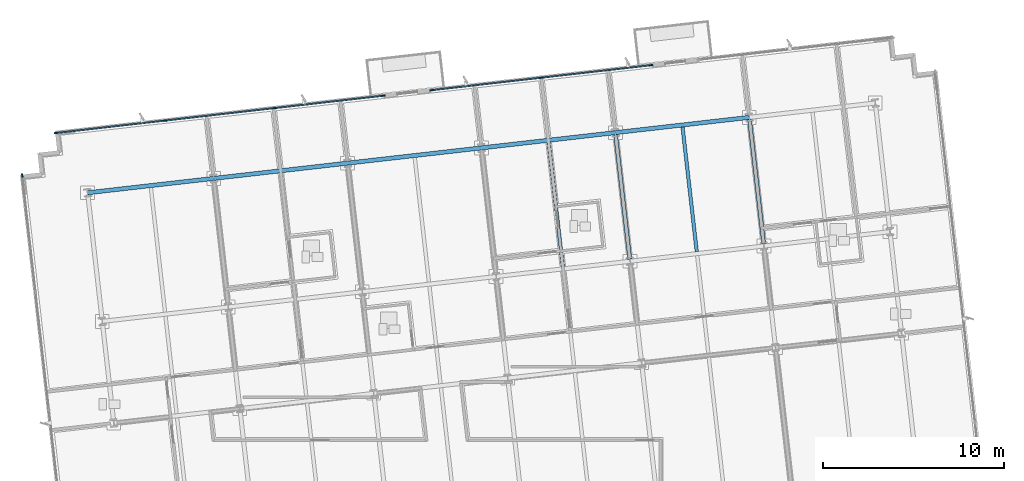
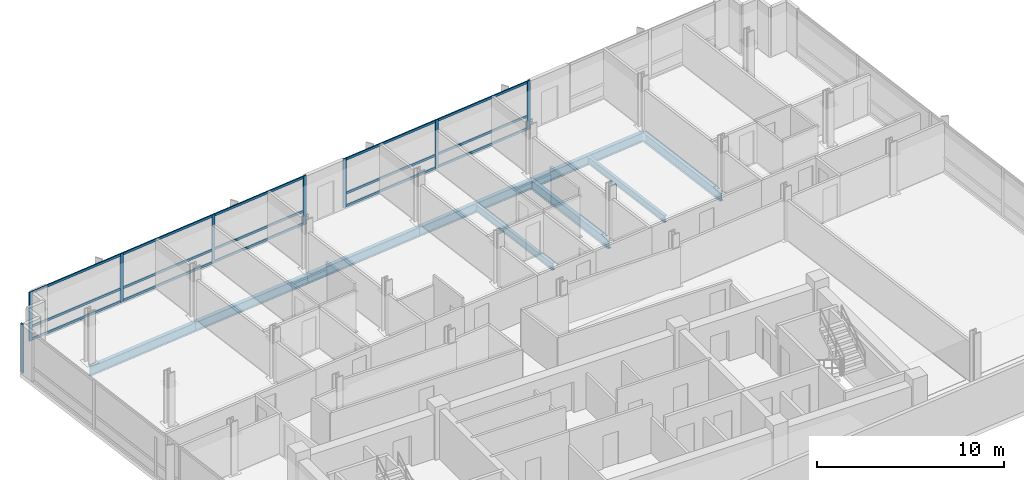
# One storey, part 5 of 16: 23 members, 9 beams, 3 elements without a shape of their own.
"""IFC4 building model written with IfcOpenShell, lengths in metres."""

from ifc_helpers import new_model, si_unit, direction, frame, origin, origin_2d, place, context, subcontext, project, spatial, rectangle, i_section, extrude, material, material_profile, profile_set, type_object, element, aggregate, save


model = new_model("IFC4")

# Units and contexts
model_context = context("Model", 3, precision=1e-05, world=origin(), true_north=direction((0.0, 1.0)))
body_context = subcontext(model_context, "Body", "Model", "MODEL_VIEW")
ifc_project = project(units=[si_unit("LENGTHUNIT", "METRE"), si_unit("AREAUNIT", "SQUARE_METRE"), si_unit("VOLUMEUNIT", "CUBIC_METRE"), si_unit("PLANEANGLEUNIT", "RADIAN"), si_unit("MASSUNIT", "GRAM", prefix="KILO")], contexts=[model_context])

# Site, building, storey
site_placement = place(None, origin())
site = spatial("IfcSite", under=ifc_project, at=site_placement, CompositionType="ELEMENT")
building_placement = place(site_placement, origin())
building = spatial("IfcBuilding", under=site, at=building_placement, Name="Solmavex Isthmus Hotel", CompositionType="ELEMENT")
storey_placement = place(building_placement, frame((0.0, 0.0, 212.39990234375)))
storey = spatial("IfcBuildingStorey", under=building, at=storey_placement, Name="L57", CompositionType="ELEMENT", Elevation=212.39990234375)

# Beams
ifc_material_1 = material(Name="Steel ASTM A992 Grade 50", Category="steel")
ifc_material_profile_1 = material_profile(ifc_material_1, i_section(OverallWidth=0.1904296875, OverallDepth=0.456787109375, WebThickness=0.009033203125, FlangeThickness=0.014404296875, FilletRadius=0.0126953125, at=origin_2d()), Name="W18X50")
ifc_profile_set_1 = profile_set([ifc_material_profile_1], Name="Steel ASTM A992 Grade 50")
beam_type_1 = type_object("IfcBeamType", Name="BM-BJ-W18X50", PredefinedType="JOIST", material=ifc_profile_set_1)
for number, where, z_axis, x_axis, name in (
    (1, (7.009033203125, 10.1328125, -0.48828125), (-0.113202453846, 0.993571942258, 0.0), (-0.993571942258, -0.113202453846, 0.0), "Secondary Floor Joist L57-J14"),
    (2, (14.4072265625, 10.975830078125, -0.48828125), (-0.113202453846, 0.993571942258, 0.0), (-0.993571942258, -0.113202453846, 0.0), "Secondary Floor Joist L57-J18"),
):
    element("IfcBeam", number, at=place(storey_placement, frame(where, z_axis=z_axis, x_axis=x_axis)), inside=storey, type_object=beam_type_1, Name=name, PredefinedType="JOIST", context=body_context, shape_type="SweptSolid", body=[
        extrude(i_section(OverallWidth=0.1904296875, OverallDepth=0.456787109375, WebThickness=0.009033203125, FlangeThickness=0.014404296875, FilletRadius=0.0126953125, at=origin_2d()), origin(), (0.0, 0.0, 1.0), 6.9228515625),
    ])
ifc_material_profile_2 = material_profile(ifc_material_1, i_section(OverallWidth=0.227783203125, OverallDepth=0.602783203125, WebThickness=0.010498046875, FlangeThickness=0.014892578125, FilletRadius=0.01513671875, at=origin_2d()), Name="W24X68")
ifc_profile_set_2 = profile_set([ifc_material_profile_2], Name="Steel ASTM A992 Grade 50")
beam_type_2 = type_object("IfcBeamType", Name="BM-BM-W24X68", PredefinedType="BEAM", material=ifc_profile_set_2)
for number, where, z_axis, x_axis, name in (
    (3, (10.708251953125, 10.55419921875, -0.561279296875), (-0.113202453846, 0.993571942258, 0.0), (-0.993571942258, -0.113202453846, 0.0), "Floor Beam L57-VG39"),
    (4, (18.106201171875, 11.397216796875, -0.561279296875), (-0.113202453846, 0.993571942258, 0.0), (-0.993571942258, -0.113202453846, 0.0), "Floor Beam L57-VG42"),
):
    element("IfcBeam", number, at=place(storey_placement, frame(where, z_axis=z_axis, x_axis=x_axis)), inside=storey, type_object=beam_type_2, Name=name, PredefinedType="BEAM", context=body_context, shape_type="SweptSolid", body=[
        extrude(i_section(OverallWidth=0.227783203125, OverallDepth=0.602783203125, WebThickness=0.010498046875, FlangeThickness=0.014892578125, FilletRadius=0.01513671875, at=origin_2d()), origin(), (0.0, 0.0, 1.0), 6.9228515625),
    ])
ifc_material_profile_3 = material_profile(ifc_material_1, i_section(OverallWidth=0.230224609375, OverallDepth=0.617431640625, WebThickness=0.01318359375, FlangeThickness=0.022216796875, FilletRadius=0.01513671875, at=origin_2d()), Name="W24X94")
ifc_profile_set_3 = profile_set([ifc_material_profile_3], Name="Steel ASTM A992 Grade 50")
beam_type_3 = type_object("IfcBeamType", Name="BM-SP-W24X94", PredefinedType="SPANDREL", material=ifc_profile_set_3)
beam_1_placement = place(storey_placement, frame((-19.245849609375, 14.22509765625, -0.568603515625), z_axis=(0.99357359356, 0.113187959519, 0.0), x_axis=(-0.113187959519, 0.99357359356, 0.0)))
element("IfcBeam", 5, at=beam_1_placement, inside=storey, type_object=beam_type_3, Name="Floor Girder L57-UG18", PredefinedType="SPANDREL", context=body_context, shape_type="SweptSolid", body=[
    extrude(i_section(OverallWidth=0.230224609375, OverallDepth=0.617431640625, WebThickness=0.01318359375, FlangeThickness=0.022216796875, FilletRadius=0.01513671875, at=origin_2d()), origin(), (0.0, 0.0, 1.0), 7.0078125),
])
beam_2_placement = place(storey_placement, frame((-12.282958984375, 15.018310546875, -0.568603515625), z_axis=(0.9935703463, 0.113216460607, 0.0), x_axis=(-0.113216460607, 0.9935703463, 0.0)))
element("IfcBeam", 6, at=beam_2_placement, inside=storey, type_object=beam_type_3, Name="Floor Girder L57-UG19", PredefinedType="SPANDREL", context=body_context, shape_type="SweptSolid", body=[
    extrude(i_section(OverallWidth=0.230224609375, OverallDepth=0.617431640625, WebThickness=0.01318359375, FlangeThickness=0.022216796875, FilletRadius=0.01513671875, at=origin_2d()), origin(), (0.0, 0.0, 1.0), 7.446044921875),
])
beam_3_placement = place(storey_placement, frame((-4.884765625, 15.861328125, -0.568603515625), z_axis=(0.993573613989, 0.113187780196, 0.0), x_axis=(-0.113187780196, 0.993573613989, 0.0)))
element("IfcBeam", 7, at=beam_3_placement, inside=storey, type_object=beam_type_3, Name="Floor Girder L57-UG20", PredefinedType="SPANDREL", context=body_context, shape_type="SweptSolid", body=[
    extrude(i_section(OverallWidth=0.230224609375, OverallDepth=0.617431640625, WebThickness=0.01318359375, FlangeThickness=0.022216796875, FilletRadius=0.01513671875, at=origin_2d()), origin(), (0.0, 0.0, 1.0), 7.44580078125),
])
for number, where, z_axis, x_axis, name in (
    (8, (2.51318359375, 16.7041015625, -0.568603515625), (0.9935703463, 0.113216460607, 0.0), (-0.113216460607, 0.9935703463, 0.0), "Floor Girder L57-UG21"),
    (9, (9.911376953125, 17.547119140625, -0.568603515625), (0.9935703463, 0.113216460607, 0.0), (-0.113216460607, 0.9935703463, 0.0), "Floor Girder L57-UG22"),
):
    element("IfcBeam", number, at=place(storey_placement, frame(where, z_axis=z_axis, x_axis=x_axis)), inside=storey, type_object=beam_type_3, Name=name, PredefinedType="SPANDREL", context=body_context, shape_type="SweptSolid", body=[
        extrude(i_section(OverallWidth=0.230224609375, OverallDepth=0.617431640625, WebThickness=0.01318359375, FlangeThickness=0.022216796875, FilletRadius=0.01513671875, at=origin_2d()), origin(), (0.0, 0.0, 1.0), 7.446044921875),
    ])

# Curtain wall, members
ifc_material_2 = material(Name="Aluminium alloy 6063-T6", Category="aluminium")
curtain_wall_type = type_object("IfcCurtainWallType", Name="CW-SYS-04", PredefinedType="NOTDEFINED", material=ifc_material_2)
curtain_wall_1_placement = place(storey_placement, origin())
curtain_wall_1 = element("IfcCurtainWall", 10, at=curtain_wall_1_placement, inside=storey, type_object=curtain_wall_type, Name="Stick Curtain Wall CWL-L57-N1", PredefinedType="NOTDEFINED")
ifc_material_profile_4 = material_profile(ifc_material_2, rectangle(XDim=0.074951171875, YDim=0.199951171875, at=origin_2d()), Name="CWM-75X200")
ifc_profile_set_4 = profile_set([ifc_material_profile_4], Name="Aluminium alloy 6063-T6")
member_type_1 = type_object("IfcMemberType", Name="CW-SYS-04-MUL", PredefinedType="MULLION", material=ifc_profile_set_4)
member_1_placement = place(storey_placement, frame((-20.99365234375, 17.528564453125, 0.0), z_axis=(0.0, 0.0, 1.0), x_axis=(-0.113202953513, 0.993571885329, 0.0)))
member_1 = element("IfcMember", 11, at=member_1_placement, type_object=member_type_1, Name="CW-04 mullion 1", PredefinedType="MULLION", context=body_context, shape_type="SweptSolid", body=[
    extrude(rectangle(XDim=0.074951171875, YDim=0.199951171875, at=origin_2d()), origin(), (0.0, 0.0, 1.0), 3.190185546875),
])
member_2_placement = place(storey_placement, frame((-14.977783203125, 18.2138671875, 0.0), z_axis=(0.0, 0.0, 1.0), x_axis=(-0.113202953513, 0.993571885329, 0.0)))
member_2 = element("IfcMember", 12, at=member_2_placement, type_object=member_type_1, Name="CW-04 mullion 2", PredefinedType="MULLION", context=body_context, shape_type="SweptSolid", body=[
    extrude(rectangle(XDim=0.074951171875, YDim=0.199951171875, at=origin_2d()), origin(), (0.0, 0.0, 1.0), 3.190185546875),
])
member_3_placement = place(storey_placement, frame((-8.924560546875, 18.903564453125, 0.0), z_axis=(0.0, 0.0, 1.0), x_axis=(-0.113202953513, 0.993571885329, 0.0)))
member_3 = element("IfcMember", 13, at=member_3_placement, type_object=member_type_1, Name="CW-04 mullion 3", PredefinedType="MULLION", context=body_context, shape_type="SweptSolid", body=[
    extrude(rectangle(XDim=0.074951171875, YDim=0.199951171875, at=origin_2d()), origin(), (0.0, 0.0, 1.0), 3.190185546875),
])
member_4_placement = place(storey_placement, frame((-2.90869140625, 19.5888671875, 0.0), z_axis=(0.0, 0.0, 1.0), x_axis=(-0.113202953513, 0.993571885329, 0.0)))
member_4 = element("IfcMember", 14, at=member_4_placement, type_object=member_type_1, Name="CW-04 mullion 4", PredefinedType="MULLION", context=body_context, shape_type="SweptSolid", body=[
    extrude(rectangle(XDim=0.074951171875, YDim=0.199951171875, at=origin_2d()), origin(), (0.0, 0.0, 1.0), 3.190185546875),
])

curtain_wall_2_placement = place(storey_placement, origin())
curtain_wall_2 = element("IfcCurtainWall", 15, at=curtain_wall_2_placement, inside=storey, type_object=curtain_wall_type, Name="Stick Curtain Wall CWL-L57-N2", PredefinedType="NOTDEFINED")
member_5_placement = place(storey_placement, frame((-0.250732421875, 19.891845703125, 0.0), z_axis=(0.0, 0.0, 1.0), x_axis=(-0.113202856801, 0.993571896348, 0.0)))
member_5 = element("IfcMember", 16, at=member_5_placement, type_object=member_type_1, Name="CW-04 mullion 1", PredefinedType="MULLION", context=body_context, shape_type="SweptSolid", body=[
    extrude(rectangle(XDim=0.074951171875, YDim=0.199951171875, at=origin_2d()), origin(), (0.0, 0.0, 1.0), 3.190185546875),
])
member_6_placement = place(storey_placement, frame((5.818359375, 20.583251953125, 0.0), z_axis=(0.0, 0.0, 1.0), x_axis=(-0.113202856801, 0.993571896348, 0.0)))
member_6 = element("IfcMember", 17, at=member_6_placement, type_object=member_type_1, Name="CW-04 mullion 2", PredefinedType="MULLION", context=body_context, shape_type="SweptSolid", body=[
    extrude(rectangle(XDim=0.074951171875, YDim=0.199951171875, at=origin_2d()), origin(), (0.0, 0.0, 1.0), 3.190185546875),
])
member_7_placement = place(storey_placement, frame((11.8876953125, 21.27490234375, 0.0), z_axis=(0.0, 0.0, 1.0), x_axis=(-0.113202856801, 0.993571896348, 0.0)))
member_7 = element("IfcMember", 18, at=member_7_placement, type_object=member_type_1, Name="CW-04 mullion 3", PredefinedType="MULLION", context=body_context, shape_type="SweptSolid", body=[
    extrude(rectangle(XDim=0.074951171875, YDim=0.199951171875, at=origin_2d()), origin(), (0.0, 0.0, 1.0), 3.190185546875),
])

# Curtain wall, member
curtain_wall_3_placement = place(storey_placement, origin())
curtain_wall_3 = element("IfcCurtainWall", 19, at=curtain_wall_3_placement, inside=storey, type_object=curtain_wall_type, Name="Stick Curtain Wall CWL-L57-W1", PredefinedType="NOTDEFINED")
member_8_placement = place(storey_placement, frame((-22.85791015625, 15.184814453125, 0.0), z_axis=(0.0, 0.0, 1.0), x_axis=(-0.993571836648, -0.11320338078, 0.0)))
member_8 = element("IfcMember", 20, at=member_8_placement, type_object=member_type_1, Name="CW-04 mullion 6", PredefinedType="MULLION", context=body_context, shape_type="SweptSolid", body=[
    extrude(rectangle(XDim=0.074951171875, YDim=0.199951171875, at=origin_2d()), origin(), (0.0, 0.0, 1.0), 3.190185546875),
])
aggregate(curtain_wall_3, [member_8])

# Member
ifc_material_profile_5 = material_profile(ifc_material_2, rectangle(XDim=0.074951171875, YDim=0.14990234375, at=origin_2d()), Name="CWT-75X150")
ifc_profile_set_5 = profile_set([ifc_material_profile_5], Name="Aluminium alloy 6063-T6")
member_type_2 = type_object("IfcMemberType", Name="CW-SYS-04-TRN", PredefinedType="USERDEFINED", material=ifc_profile_set_5)
member_9_placement = place(storey_placement, frame((-20.956298828125, 17.53271484375, 0.0751953125), z_axis=(0.993570647741, 0.113213815179, 0.0), x_axis=(-0.113213815179, 0.993570647741, 0.0)))
member_9 = element("IfcMember", 21, at=member_9_placement, type_object=member_type_2, Name="CW-04 transom 1.1", ObjectType="TRANSOM", PredefinedType="USERDEFINED", context=body_context, shape_type="SweptSolid", body=[
    extrude(rectangle(XDim=0.074951171875, YDim=0.14990234375, at=origin_2d()), origin(), (0.0, 0.0, 1.0), 5.979736328125),
])

member_10_placement = place(storey_placement, frame((-20.956298828125, 17.53271484375, 0.900146484375), z_axis=(0.993570647741, 0.113213815179, 0.0), x_axis=(-0.113213815179, 0.993570647741, 0.0)))
member_10 = element("IfcMember", 22, at=member_10_placement, type_object=member_type_2, Name="CW-04 transom 1.2", ObjectType="TRANSOM", PredefinedType="USERDEFINED", context=body_context, shape_type="SweptSolid", body=[
    extrude(rectangle(XDim=0.074951171875, YDim=0.14990234375, at=origin_2d()), origin(), (0.0, 0.0, 1.0), 5.979736328125),
])

member_11_placement = place(storey_placement, frame((-20.956298828125, 17.53271484375, 3.114990234375), z_axis=(0.993570647741, 0.113213815179, 0.0), x_axis=(-0.113213815179, 0.993570647741, 0.0)))
member_11 = element("IfcMember", 23, at=member_11_placement, type_object=member_type_2, Name="CW-04 transom 1.3", ObjectType="TRANSOM", PredefinedType="USERDEFINED", context=body_context, shape_type="SweptSolid", body=[
    extrude(rectangle(XDim=0.074951171875, YDim=0.14990234375, at=origin_2d()), origin(), (0.0, 0.0, 1.0), 5.979736328125),
])

member_12_placement = place(storey_placement, frame((-14.9404296875, 18.218017578125, 0.0751953125), z_axis=(0.993567543212, 0.113241057379, 0.0), x_axis=(-0.113241057379, 0.993567543212, 0.0)))
member_12 = element("IfcMember", 24, at=member_12_placement, type_object=member_type_2, Name="CW-04 transom 2.1", ObjectType="TRANSOM", PredefinedType="USERDEFINED", context=body_context, shape_type="SweptSolid", body=[
    extrude(rectangle(XDim=0.074951171875, YDim=0.14990234375, at=origin_2d()), origin(), (0.0, 0.0, 1.0), 6.017333984375),
])

member_13_placement = place(storey_placement, frame((-14.9404296875, 18.218017578125, 0.900146484375), z_axis=(0.993567543212, 0.113241057379, 0.0), x_axis=(-0.113241057379, 0.993567543212, 0.0)))
member_13 = element("IfcMember", 25, at=member_13_placement, type_object=member_type_2, Name="CW-04 transom 2.2", ObjectType="TRANSOM", PredefinedType="USERDEFINED", context=body_context, shape_type="SweptSolid", body=[
    extrude(rectangle(XDim=0.074951171875, YDim=0.14990234375, at=origin_2d()), origin(), (0.0, 0.0, 1.0), 6.017333984375),
])

member_14_placement = place(storey_placement, frame((-14.9404296875, 18.218017578125, 3.114990234375), z_axis=(0.993567543212, 0.113241057379, 0.0), x_axis=(-0.113241057379, 0.993567543212, 0.0)))
member_14 = element("IfcMember", 26, at=member_14_placement, type_object=member_type_2, Name="CW-04 transom 2.3", ObjectType="TRANSOM", PredefinedType="USERDEFINED", context=body_context, shape_type="SweptSolid", body=[
    extrude(rectangle(XDim=0.074951171875, YDim=0.14990234375, at=origin_2d()), origin(), (0.0, 0.0, 1.0), 6.017333984375),
])

member_15_placement = place(storey_placement, frame((-8.88720703125, 18.90771484375, 0.0751953125), z_axis=(0.993570647741, 0.113213815179, 0.0), x_axis=(-0.113213815179, 0.993570647741, 0.0)))
member_15 = element("IfcMember", 27, at=member_15_placement, type_object=member_type_2, Name="CW-04 transom 3.1", ObjectType="TRANSOM", PredefinedType="USERDEFINED", context=body_context, shape_type="SweptSolid", body=[
    extrude(rectangle(XDim=0.074951171875, YDim=0.14990234375, at=origin_2d()), origin(), (0.0, 0.0, 1.0), 5.979736328125),
])

member_16_placement = place(storey_placement, frame((-8.88720703125, 18.90771484375, 0.900146484375), z_axis=(0.993570647741, 0.113213815179, 0.0), x_axis=(-0.113213815179, 0.993570647741, 0.0)))
member_16 = element("IfcMember", 28, at=member_16_placement, type_object=member_type_2, Name="CW-04 transom 3.2", ObjectType="TRANSOM", PredefinedType="USERDEFINED", context=body_context, shape_type="SweptSolid", body=[
    extrude(rectangle(XDim=0.074951171875, YDim=0.14990234375, at=origin_2d()), origin(), (0.0, 0.0, 1.0), 5.979736328125),
])

member_17_placement = place(storey_placement, frame((-8.88720703125, 18.90771484375, 3.114990234375), z_axis=(0.993570647741, 0.113213815179, 0.0), x_axis=(-0.113213815179, 0.993570647741, 0.0)))
member_17 = element("IfcMember", 29, at=member_17_placement, type_object=member_type_2, Name="CW-04 transom 3.3", ObjectType="TRANSOM", PredefinedType="USERDEFINED", context=body_context, shape_type="SweptSolid", body=[
    extrude(rectangle(XDim=0.074951171875, YDim=0.14990234375, at=origin_2d()), origin(), (0.0, 0.0, 1.0), 5.979736328125),
])

aggregate(curtain_wall_1, [member_1, member_2, member_3, member_4, member_9, member_10, member_11, member_12, member_13, member_14, member_15, member_16, member_17])

member_18_placement = place(storey_placement, frame((-0.213623046875, 19.89599609375, 0.0751953125), z_axis=(0.993570439577, 0.113215642025, 0.0), x_axis=(-0.113215642025, 0.993570439577, 0.0)))
member_18 = element("IfcMember", 30, at=member_18_placement, type_object=member_type_2, Name="CW-04 transom 1.1", ObjectType="TRANSOM", PredefinedType="USERDEFINED", context=body_context, shape_type="SweptSolid", body=[
    extrude(rectangle(XDim=0.074951171875, YDim=0.14990234375, at=origin_2d()), origin(), (0.0, 0.0, 1.0), 6.03369140625),
])

member_19_placement = place(storey_placement, frame((-0.213623046875, 19.89599609375, 0.900146484375), z_axis=(0.993570439577, 0.113215642025, 0.0), x_axis=(-0.113215642025, 0.993570439577, 0.0)))
member_19 = element("IfcMember", 31, at=member_19_placement, type_object=member_type_2, Name="CW-04 transom 1.2", ObjectType="TRANSOM", PredefinedType="USERDEFINED", context=body_context, shape_type="SweptSolid", body=[
    extrude(rectangle(XDim=0.074951171875, YDim=0.14990234375, at=origin_2d()), origin(), (0.0, 0.0, 1.0), 6.03369140625),
])

member_20_placement = place(storey_placement, frame((-0.213623046875, 19.89599609375, 3.114990234375), z_axis=(0.993570439577, 0.113215642025, 0.0), x_axis=(-0.113215642025, 0.993570439577, 0.0)))
member_20 = element("IfcMember", 32, at=member_20_placement, type_object=member_type_2, Name="CW-04 transom 1.3", ObjectType="TRANSOM", PredefinedType="USERDEFINED", context=body_context, shape_type="SweptSolid", body=[
    extrude(rectangle(XDim=0.074951171875, YDim=0.14990234375, at=origin_2d()), origin(), (0.0, 0.0, 1.0), 6.03369140625),
])

member_21_placement = place(storey_placement, frame((5.855712890625, 20.587646484375, 0.0751953125), z_axis=(0.993574472077, 0.113180247552, 0.0), x_axis=(-0.113180247552, 0.993574472077, 0.0)))
member_21 = element("IfcMember", 33, at=member_21_placement, type_object=member_type_2, Name="CW-04 transom 2.1", ObjectType="TRANSOM", PredefinedType="USERDEFINED", context=body_context, shape_type="SweptSolid", body=[
    extrude(rectangle(XDim=0.074951171875, YDim=0.14990234375, at=origin_2d()), origin(), (0.0, 0.0, 1.0), 6.033447265625),
])

member_22_placement = place(storey_placement, frame((5.855712890625, 20.587646484375, 0.900146484375), z_axis=(0.993574472077, 0.113180247552, 0.0), x_axis=(-0.113180247552, 0.993574472077, 0.0)))
member_22 = element("IfcMember", 34, at=member_22_placement, type_object=member_type_2, Name="CW-04 transom 2.2", ObjectType="TRANSOM", PredefinedType="USERDEFINED", context=body_context, shape_type="SweptSolid", body=[
    extrude(rectangle(XDim=0.074951171875, YDim=0.14990234375, at=origin_2d()), origin(), (0.0, 0.0, 1.0), 6.033447265625),
])

member_23_placement = place(storey_placement, frame((5.855712890625, 20.587646484375, 3.114990234375), z_axis=(0.993574472077, 0.113180247552, 0.0), x_axis=(-0.113180247552, 0.993574472077, 0.0)))
member_23 = element("IfcMember", 35, at=member_23_placement, type_object=member_type_2, Name="CW-04 transom 2.3", ObjectType="TRANSOM", PredefinedType="USERDEFINED", context=body_context, shape_type="SweptSolid", body=[
    extrude(rectangle(XDim=0.074951171875, YDim=0.14990234375, at=origin_2d()), origin(), (0.0, 0.0, 1.0), 6.033447265625),
])

aggregate(curtain_wall_2, [member_5, member_6, member_7, member_18, member_19, member_20, member_21, member_22, member_23])

save(model, "model.ifc")
